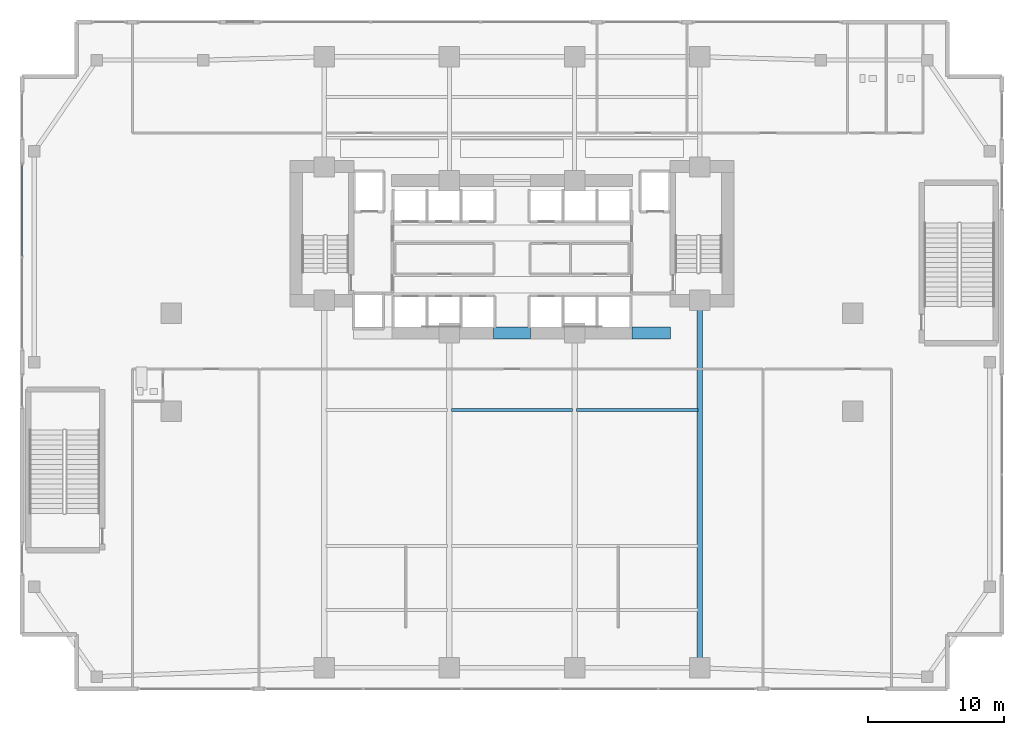
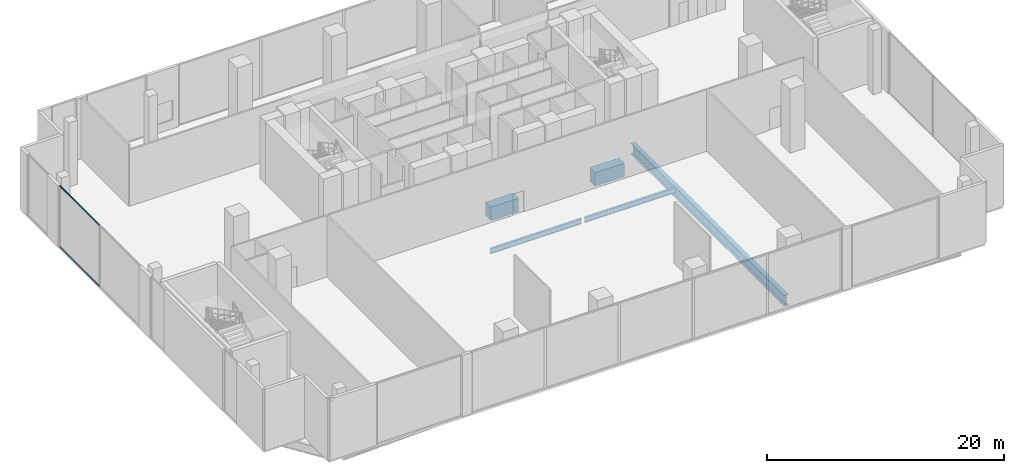
# One storey, part 11 of 30: 5 beams, 2 members, 1 element without a shape of its own.
"""IFC4 building model written with IfcOpenShell, lengths in metres."""

from ifc_helpers import new_model, si_unit, direction, frame, origin, origin_2d, place, context, subcontext, project, spatial, rectangle, hollow_rectangle, i_section, extrude, material, layer, layer_set, material_profile, profile_set, type_object, element, aggregate, save


model = new_model("IFC4")

# Units and contexts
model_context = context("Model", 3, precision=1e-05, world=origin(), true_north=direction((0.0, 1.0)))
body_context = subcontext(model_context, "Body", "Model", "MODEL_VIEW")
ifc_project = project(units=[si_unit("LENGTHUNIT", "METRE"), si_unit("AREAUNIT", "SQUARE_METRE"), si_unit("VOLUMEUNIT", "CUBIC_METRE"), si_unit("PLANEANGLEUNIT", "RADIAN"), si_unit("MASSUNIT", "GRAM", prefix="KILO")], contexts=[model_context])

# Site, building, storey
site_placement = place(None, origin())
site = spatial("IfcSite", under=ifc_project, at=site_placement, CompositionType="ELEMENT")
building_placement = place(site_placement, origin())
building = spatial("IfcBuilding", under=site, at=building_placement, Name="Zuhayl Quay Hotel", CompositionType="ELEMENT")
storey_placement = place(building_placement, frame((0.0, 0.0, 11.39990234375)))
storey = spatial("IfcBuildingStorey", under=building, at=storey_placement, Name="L02", CompositionType="ELEMENT", Elevation=11.39990234375)

# Beams
ifc_material_1 = material(Name="Concrete C60/75", Category="concrete")
ifc_material_profile_1 = material_profile(ifc_material_1, rectangle(XDim=0.89990234375, YDim=1.39990234375, at=origin_2d()), Name="RC900X1400")
ifc_profile_set_1 = profile_set([ifc_material_profile_1], Name="Concrete C60/75")
beam_type_1 = type_object("IfcBeamType", Name="BM_CB1_RC900", PredefinedType="T_BEAM", material=ifc_profile_set_1)
beam_1_placement = place(storey_placement, frame((8.800048828125, 2.14990234375, -0.9599609375), z_axis=(1.0, 0.0, 0.0), x_axis=(0.0, 1.0, 0.0)))
element("IfcBeam", 1, at=beam_1_placement, inside=storey, type_object=beam_type_1, Name="L02 Core Coupling Beam SE", PredefinedType="T_BEAM", context=body_context, shape_type="SweptSolid", body=[
    extrude(rectangle(XDim=0.89990234375, YDim=1.39990234375, at=origin_2d()), origin(), (0.0, 0.0, 1.0), 2.849853515625),
])
beam_2_placement = place(storey_placement, frame((-1.35009765625, 2.14990234375, -0.9599609375), z_axis=(1.0, 0.0, 0.0), x_axis=(0.0, 1.0, 0.0)))
element("IfcBeam", 2, at=beam_2_placement, inside=storey, type_object=beam_type_1, Name="L02 Core Coupling Beam South", PredefinedType="T_BEAM", context=body_context, shape_type="SweptSolid", body=[
    extrude(rectangle(XDim=0.89990234375, YDim=1.39990234375, at=origin_2d()), origin(), (0.0, 0.0, 1.0), 2.7001953125),
])
ifc_material_2 = material(Name="Steel ASTM A992 Grade 50", Category="steel")
ifc_material_profile_2 = material_profile(ifc_material_2, i_section(OverallWidth=0.208984375, OverallDepth=0.532958984375, WebThickness=0.01025390625, FlangeThickness=0.015625, at=origin_2d()), Name="W21X62")
ifc_profile_set_2 = profile_set([ifc_material_profile_2], Name="Steel ASTM A992 Grade 50")
beam_type_2 = type_object("IfcBeamType", Name="BM_J1_W21X62", PredefinedType="JOIST", material=ifc_profile_set_2)
beam_3_placement = place(storey_placement, frame((-4.45458984375, -3.5, -0.5263671875), z_axis=(1.0, 0.0, 0.0), x_axis=(0.0, 1.0, 0.0)))
element("IfcBeam", 3, at=beam_3_placement, inside=storey, type_object=beam_type_2, Name="L02 Floor Beam J_POD_L02_3_2", PredefinedType="JOIST", context=body_context, shape_type="SweptSolid", body=[
    extrude(i_section(OverallWidth=0.208984375, OverallDepth=0.532958984375, WebThickness=0.01025390625, FlangeThickness=0.015625, at=origin_2d()), origin(), (0.0, 0.0, 1.0), 8.9091796875),
])
beam_4_placement = place(storey_placement, frame((4.74560546875, -3.5, -0.5263671875), z_axis=(1.0, 0.0, 0.0), x_axis=(0.0, 1.0, 0.0)))
element("IfcBeam", 4, at=beam_4_placement, inside=storey, type_object=beam_type_2, Name="L02 Floor Beam J_POD_L02_3_3", PredefinedType="JOIST", context=body_context, shape_type="SweptSolid", body=[
    extrude(i_section(OverallWidth=0.208984375, OverallDepth=0.532958984375, WebThickness=0.01025390625, FlangeThickness=0.015625, at=origin_2d()), origin(), (0.0, 0.0, 1.0), 8.908935546875),
])
ifc_material_3 = material(Name="Steel ASTM A913 Grade 65", Category="steel")
ifc_material_profile_3 = material_profile(ifc_material_3, i_section(OverallWidth=0.404052734375, OverallDepth=1.117919921875, WebThickness=0.026123046875, FlangeThickness=0.044921875, at=origin_2d()), Name="W44X335")
ifc_profile_set_3 = profile_set([ifc_material_profile_3], Name="Steel ASTM A913 Grade 65")
beam_type_3 = type_object("IfcBeamType", Name="BM_TG1_W44X335", PredefinedType="BEAM", material=ifc_profile_set_3)
beam_5_placement = place(storey_placement, frame((13.800048828125, -21.929931640625, -0.81884765625), z_axis=(0.0, 1.0, 0.0), x_axis=(-1.0, 0.0, 0.0)))
element("IfcBeam", 5, at=beam_5_placement, inside=storey, type_object=beam_type_3, Name="L02 Floor Beam PG_NS_BALL_L02_4", PredefinedType="BEAM", context=body_context, shape_type="SweptSolid", body=[
    extrude(i_section(OverallWidth=0.404052734375, OverallDepth=1.117919921875, WebThickness=0.026123046875, FlangeThickness=0.044921875, at=origin_2d()), origin(), (0.0, 0.0, 1.0), 25.909912109375),
])

# Curtain wall, members
ifc_material_4 = material(Name="Anodised Aluminium 6063-T6", Category="aluminium")
ifc_layer = layer(ifc_material_4, 0.199951171875, Name="Anodised Aluminium 6063-T6", Category="aluminium")
ifc_layer_set = layer_set([ifc_layer], Name="Anodised Aluminium 6063-T6")
curtain_wall_type = type_object("IfcCurtainWallType", Name="CW_SYS_POD", PredefinedType="USERDEFINED", material=ifc_layer_set)
curtain_wall_placement = place(storey_placement, origin())
curtain_wall = element("IfcCurtainWall", 6, at=curtain_wall_placement, inside=storey, type_object=curtain_wall_type, Name="L02 Curtain Wall ENV_L02_E02_CW3", ObjectType="UNITISED CURTAIN WALL", PredefinedType="USERDEFINED")
ifc_material_5 = material(Name="Black-anodised aluminium 6063-T6", Category="aluminium")
ifc_material_profile_4 = material_profile(ifc_material_5, hollow_rectangle(XDim=0.06005859375, YDim=0.14990234375, WallThickness=0.00341796875, at=origin_2d()), Name="ALU150X60")
ifc_profile_set_4 = profile_set([ifc_material_profile_4], Name="Black-anodised aluminium 6063-T6")
member_type = type_object("IfcMemberType", Name="MB_CW_TRN_150", PredefinedType="USERDEFINED", material=ifc_profile_set_4)
member_1_placement = place(storey_placement, frame((-36.0, 7.78759765625, 0.030029296875), z_axis=(0.0, 1.0, 0.0), x_axis=(-1.0, 0.0, 0.0)))
member_1 = element("IfcMember", 7, at=member_1_placement, type_object=member_type, Name="CW-POD transom 2.1", ObjectType="TRANSOM", PredefinedType="USERDEFINED", context=body_context, shape_type="SweptSolid", body=[
    extrude(hollow_rectangle(XDim=0.06005859375, YDim=0.14990234375, WallThickness=0.00341796875, at=origin_2d()), origin(), (0.0, 0.0, 1.0), 6.71728515625),
])
member_2_placement = place(storey_placement, frame((-36.0, 7.78759765625, 6.31005859375), z_axis=(0.0, 1.0, 0.0), x_axis=(-1.0, 0.0, 0.0)))
member_2 = element("IfcMember", 8, at=member_2_placement, type_object=member_type, Name="CW-POD transom 2.2", ObjectType="TRANSOM", PredefinedType="USERDEFINED", context=body_context, shape_type="SweptSolid", body=[
    extrude(hollow_rectangle(XDim=0.06005859375, YDim=0.14990234375, WallThickness=0.00341796875, at=origin_2d()), origin(), (0.0, 0.0, 1.0), 6.71728515625),
])
aggregate(curtain_wall, [member_1, member_2])

save(model, "model.ifc")
